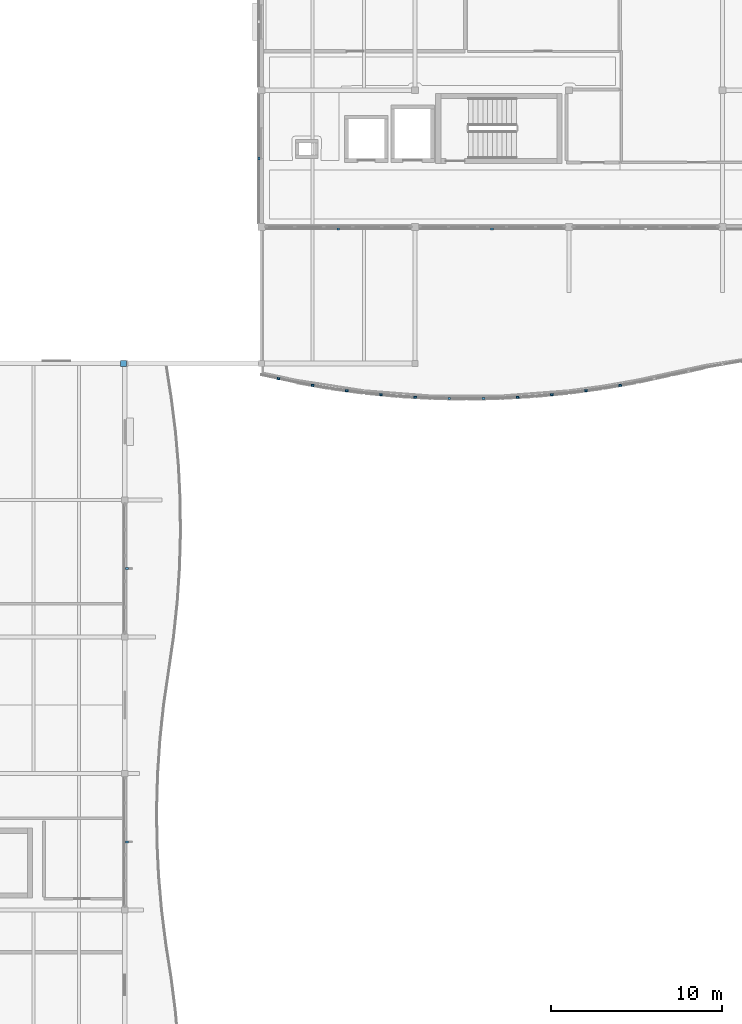
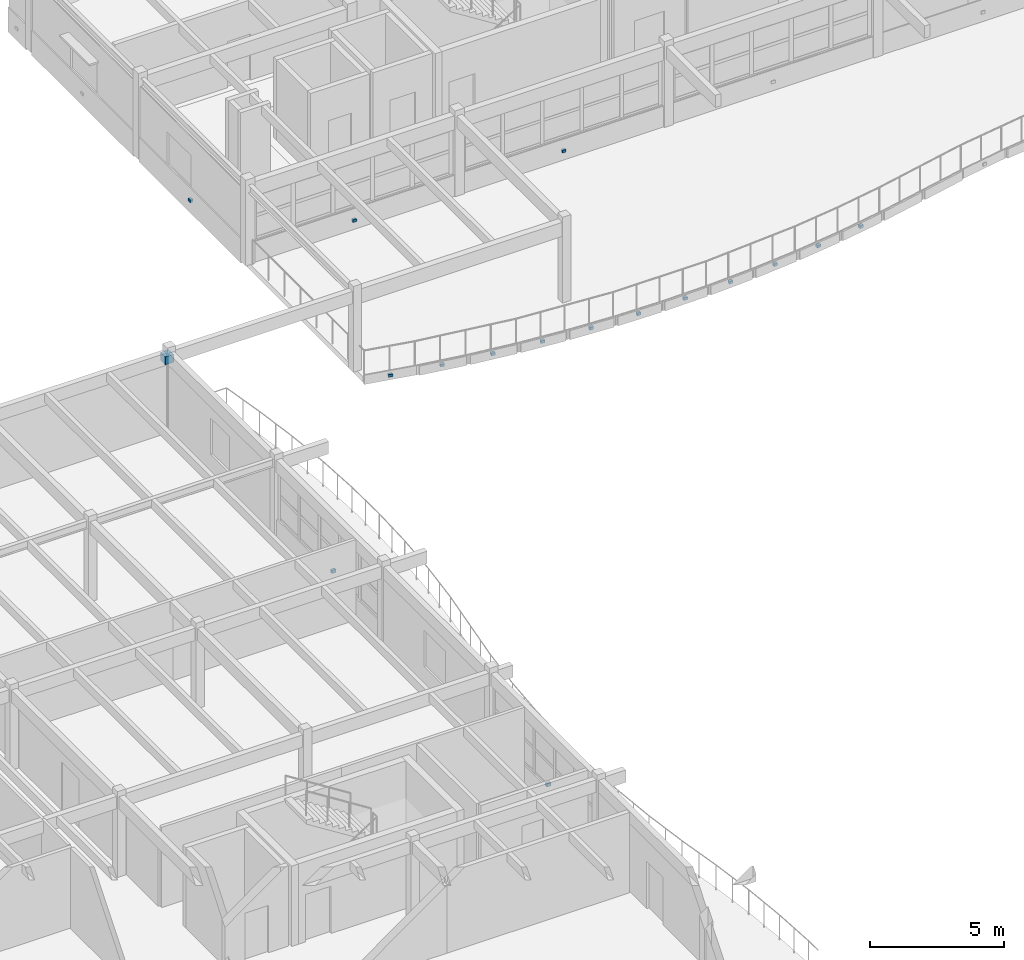
# One storey, part 47 of 63: 17 discrete accessories.
"""IFC4 building model written with IfcOpenShell, lengths in metres."""

import ifcopenshell
import ifcopenshell.guid

model = None  # the IFC model being written
_history = None  # IfcOwnerHistory: only IFC2X3 demands one
_inside = {}  # id of a spatial element -> (the spatial element, [elements in it])
_under = {}  # id of a project, library or spatial element -> (it, [spatial elements below it])
_declared = {}  # id of a project -> (the project, [libraries it declares])
_typed = {}  # id of a type object -> (the type object, [elements of that type])
_made_of = {}  # id of a material, layer set ... -> (it, [elements and type objects made of it])


def new_model(schema):
    """Start an empty IFC model of exactly this schema.

    Asked for "IFC4X3", IfcOpenShell would pick the latest addendum, in which some entities
    have other attributes; the version numbers below select the first issue.
    IFC2X3 requires an IfcOwnerHistory on every rooted entity: one is made here for all.
    """
    global model, _history
    if schema == "IFC4X3":
        model = ifcopenshell.file(schema_version=(4, 3, 0, 0))
    else:
        model = ifcopenshell.file(schema=schema)
    _inside.clear()
    _under.clear()
    _declared.clear()
    _typed.clear()
    _made_of.clear()
    _history = None
    if model.schema == "IFC2X3":
        org = make("IfcOrganization", Name="unknown")
        user = make(
            "IfcPersonAndOrganization",
            ThePerson=make("IfcPerson", FamilyName="unknown"),
            TheOrganization=org,
        )
        app = make(
            "IfcApplication",
            ApplicationDeveloper=org,
            Version="unknown",
            ApplicationFullName="unknown",
            ApplicationIdentifier="unknown",
        )
        _history = make(
            "IfcOwnerHistory",
            OwningUser=user,
            OwningApplication=app,
            ChangeAction="ADDED",
            CreationDate=0,
        )
    return model


def make(cls, **values):
    """One entity of the class cls with the attributes given. An attribute that is None is left unset."""
    return model.create_entity(
        cls, **{name: value for name, value in values.items() if value is not None}
    )


def rooted(cls, **values):
    """An entity with a GlobalId (a new one), such as an element, a storey or a relation."""
    return make(cls, GlobalId=ifcopenshell.guid.new(), OwnerHistory=_history, **values)


def si_unit(unit_type, name, prefix=None):
    """IfcSIUnit, for example si_unit("LENGTHUNIT", "METRE", prefix="MILLI")."""
    return make("IfcSIUnit", UnitType=unit_type, Prefix=prefix, Name=name)


def assignment(units):
    """IfcUnitAssignment: the units of a project."""
    return None if units is None else make("IfcUnitAssignment", Units=units)


def point(xyz):
    """IfcCartesianPoint."""
    return None if xyz is None else make("IfcCartesianPoint", Coordinates=xyz)


def direction(xyz):
    """IfcDirection."""
    return None if xyz is None else make("IfcDirection", DirectionRatios=xyz)


def frame(location, z_axis=None, x_axis=None):
    """IfcAxis2Placement3D, a coordinate frame: its origin and axes. An axis left out is left unset."""
    return make(
        "IfcAxis2Placement3D",
        Location=point(location),
        Axis=direction(z_axis),
        RefDirection=direction(x_axis),
    )


def frame_2d(location, x_axis=None):
    """IfcAxis2Placement2D, a coordinate frame in the plane: its origin and x axis."""
    return make(
        "IfcAxis2Placement2D", Location=point(location), RefDirection=direction(x_axis)
    )


def origin():
    """The frame at (0, 0, 0) with its axes left unset."""
    return frame((0.0, 0.0, 0.0))


def origin_2d():
    """The frame at (0, 0) in the plane with its x axis left unset."""
    return frame_2d((0.0, 0.0))


def place(relative_to, where):
    """IfcLocalPlacement: puts the frame where relative to a parent placement (None: the world)."""
    return make(
        "IfcLocalPlacement", PlacementRelTo=relative_to, RelativePlacement=where
    )


def context(
    kind, dimensions, precision=None, world=None, true_north=None, identifier=None
):
    """IfcGeometricRepresentationContext, for example the 3D "Model" context."""
    return make(
        "IfcGeometricRepresentationContext",
        ContextIdentifier=identifier,
        ContextType=kind,
        CoordinateSpaceDimension=dimensions,
        Precision=precision,
        WorldCoordinateSystem=world,
        TrueNorth=true_north,
    )


def subcontext(parent, identifier, kind, view, scale=None):
    """IfcGeometricRepresentationSubContext, for example "Body" below "Model"."""
    return make(
        "IfcGeometricRepresentationSubContext",
        ContextIdentifier=identifier,
        ContextType=kind,
        ParentContext=parent,
        TargetScale=scale,
        TargetView=view,
    )


def project(units=None, contexts=None):
    """IfcProject with its units and contexts."""
    return rooted(
        "IfcProject",
        Name="project",
        RepresentationContexts=contexts,
        UnitsInContext=assignment(units),
    )


def spatial(cls, under=None, at=None, **own):
    """A site, building, storey or space (cls), placed at a placement, below another one or the project."""
    s = rooted(cls, ObjectPlacement=at, **own)
    if under is not None:
        _under.setdefault(under.id(), (under, []))[1].append(s)
    return s


def profile(cls, at=None, kind="AREA", **sizes):
    """A parametric profile (cls). Its sizes go by their IFC names, for example OverallWidth=200.0."""
    return make(cls, ProfileType=kind, Position=at, **sizes)


def rectangle(**sizes):
    """IfcRectangleProfileDef."""
    return profile("IfcRectangleProfileDef", **sizes)


def extrude(swept, where, along, depth):
    """IfcExtrudedAreaSolid: the profile swept, set in the frame where, extruded along a direction by depth."""
    return make(
        "IfcExtrudedAreaSolid",
        SweptArea=swept,
        Position=where,
        ExtrudedDirection=direction(along),
        Depth=depth,
    )


def shape(context_of_items, identifier, shape_type, items):
    """IfcShapeRepresentation: the items that make up one representation, for example the "Body"."""
    return make(
        "IfcShapeRepresentation",
        ContextOfItems=context_of_items,
        RepresentationIdentifier=identifier,
        RepresentationType=shape_type,
        Items=items,
    )


def material(Name=None, Category=None):
    """IfcMaterial."""
    return make("IfcMaterial", Name=Name, Category=Category)


def made_of(thing, what):
    """Note that an element or type object is made of a material, layer set ...; save() writes the relation."""
    if what is not None:
        _made_of.setdefault(what.id(), (what, []))[1].append(thing)
    return thing


def type_object(cls, material=None, **own):
    """A type object (cls), such as IfcWallType, which elements share."""
    return made_of(rooted(cls, **own), material)


def element(
    cls,
    number,
    at=None,
    inside=None,
    cuts=None,
    type_object=None,
    material=None,
    context=None,
    identifier="Body",
    shape_type=None,
    held_by="IfcProductDefinitionShape",
    body=None,
    shapes=None,
    **own,
):
    """One element of the class cls, such as IfcWall. Its Tag is "e" and its number.

    at: its placement. inside: the storey or other place that contains it. cuts: it is an
    opening in that element (IfcRelVoidsElement). A single representation is given by context,
    identifier, shape_type and body (its items); several are given by shapes. held_by: the class
    of the entity that holds the representations. save() writes the other relations.
    """
    e = rooted(cls, Tag="e%d" % number, ObjectPlacement=at, **own)
    if body is not None:
        shapes = [shape(context, identifier, shape_type, body)]
    if shapes is not None:
        e.Representation = make(held_by, Representations=shapes)
    if inside is not None:
        _inside.setdefault(inside.id(), (inside, []))[1].append(e)
    if cuts is not None:
        rooted(
            "IfcRelVoidsElement", RelatingBuildingElement=cuts, RelatedOpeningElement=e
        )
    if type_object is not None:
        _typed.setdefault(type_object.id(), (type_object, []))[1].append(e)
    return made_of(e, material)


def aggregate(whole, parts):
    """IfcRelAggregates: a whole, such as a stair, and the parts it consists of."""
    return rooted("IfcRelAggregates", RelatingObject=whole, RelatedObjects=parts)


def save(model, path):
    """Write the relations noted so far, then the file.

    IfcRelAggregates (storeys below a building ...), IfcRelContainedInSpatialStructure (elements
    in a storey), IfcRelDefinesByType, IfcRelAssociatesMaterial and IfcRelDeclares: one each for
    every whole, place, type object, material and project.
    """
    for whole, parts in _under.values():
        aggregate(whole, parts)
    for where, things in _inside.values():
        rooted(
            "IfcRelContainedInSpatialStructure",
            RelatedElements=things,
            RelatingStructure=where,
        )
    for kind, things in _typed.values():
        rooted("IfcRelDefinesByType", RelatedObjects=things, RelatingType=kind)
    for what, things in _made_of.values():
        rooted("IfcRelAssociatesMaterial", RelatedObjects=things, RelatingMaterial=what)
    for by, libraries in _declared.values():
        rooted("IfcRelDeclares", RelatingContext=by, RelatedDefinitions=libraries)
    model.write(path)


model = new_model("IFC4")

# Units and contexts
model_context = context("Model", 3, precision=1e-05, world=origin(), true_north=direction((0.0, 1.0)))
body_context = subcontext(model_context, "Body", "Model", "MODEL_VIEW")
ifc_project = project(units=[si_unit("LENGTHUNIT", "METRE"), si_unit("AREAUNIT", "SQUARE_METRE"), si_unit("VOLUMEUNIT", "CUBIC_METRE"), si_unit("PLANEANGLEUNIT", "RADIAN"), si_unit("MASSUNIT", "GRAM", prefix="KILO")], contexts=[model_context])

# Site, building, storey
site_placement = place(None, origin())
site = spatial("IfcSite", under=ifc_project, at=site_placement, CompositionType="ELEMENT")
building_placement = place(site_placement, origin())
building = spatial("IfcBuilding", under=site, at=building_placement, Name="Tonlespit Floodbar School", CompositionType="ELEMENT")
storey_placement = place(building_placement, frame((0.0, 0.0, 8.39990234375)))
storey = spatial("IfcBuildingStorey", under=building, at=storey_placement, Name="L02", CompositionType="ELEMENT", Elevation=8.39990234375)

# Discrete accessories
ifc_material_1 = material(Name="Galvanised Steel", Category="steel")
discrete_accessory_type_1 = type_object("IfcDiscreteAccessoryType", Name="Bracket_Facade_S355", PredefinedType="BRACKET", material=ifc_material_1)
for number, where, z_axis, x_axis, name in (
    (1, (57.5, 103.8701171875, 0.35498046875), (0.0, 0.0, 1.0), (-1.0, 0.0, 0.0), "L02 white band support bracket 0173"),
    (2, (48.5, 103.8701171875, 0.35498046875), (0.0, 0.0, 1.0), (-1.0, 0.0, 0.0), "L02 white band support bracket 0174"),
    (3, (43.85009765625, 108.0, 0.380126953125), (0.0, 0.0, 1.0), (0.0, 1.0, 0.0), "L02 white band support bracket 0175"),
    (4, (45.0, 95.113525390625, -0.14990234375), (0.0, 0.0, 1.0), (0.977356843161, -0.21159773422, 0.0), "L02 white band support bracket 0178"),
    (5, (47.0, 94.72119140625, -0.14990234375), (0.0, 0.0, 1.0), (0.984904884962, -0.17309641122, 0.0), "L02 white band support bracket 0179"),
    (6, (49.0, 94.40966796875, -0.14990234375), (0.0, 0.0, 1.0), (0.990898113281, -0.13461400037, 0.0), "L02 white band support bracket 0180"),
    (7, (51.0, 94.17724609375, -0.14990234375), (0.0, 0.0, 1.0), (0.995361841764, -0.096201891669, 0.0), "L02 white band support bracket 0181"),
    (8, (53.0, 94.022705078125, -0.14990234375), (0.0, 0.0, 1.0), (0.998333769428, -0.057703421212, 0.0), "L02 white band support bracket 0182"),
    (9, (55.0, 93.94580078125, -0.14990234375), (0.0, 0.0, 1.0), (0.999814772764, -0.01924630259, 0.0), "L02 white band support bracket 0183"),
    (10, (57.0, 93.94580078125, -0.14990234375), (0.0, 0.0, 1.0), (0.999814772764, 0.01924630259, 0.0), "L02 white band support bracket 0184"),
    (11, (59.0, 94.022705078125, -0.14990234375), (0.0, 0.0, 1.0), (0.998333769428, 0.057703421212, 0.0), "L02 white band support bracket 0185"),
    (12, (61.0, 94.17724609375, -0.14990234375), (0.0, 0.0, 1.0), (0.995361841764, 0.096201891669, 0.0), "L02 white band support bracket 0186"),
    (13, (63.0, 94.40966796875, -0.14990234375), (0.0, 0.0, 1.0), (0.990898113281, 0.13461400037, 0.0), "L02 white band support bracket 0187"),
    (14, (65.0, 94.72119140625, -0.14990234375), (0.0, 0.0, 1.0), (0.984904884962, 0.17309641122, 0.0), "L02 white band support bracket 0188"),
):
    element("IfcDiscreteAccessory", number, at=place(storey_placement, frame(where, z_axis=z_axis, x_axis=x_axis)), inside=storey, type_object=discrete_accessory_type_1, Name=name, PredefinedType="BRACKET", context=body_context, shape_type="SweptSolid", body=[
        extrude(rectangle(XDim=0.159912109375, YDim=0.1201171875, at=origin_2d()), origin(), (0.0, 0.0, 1.0), 0.1201171875),
    ])
for number, where, z_axis, x_axis, name in (
    (15, (36.132568359375, 84.0, 0.7802734375), (0.0, 0.0, 1.0), (0.0, -1.0, 0.0), "Solar fin support bracket 167"),
    (16, (36.132568359375, 68.0, 0.7802734375), (0.0, 0.0, 1.0), (0.0, -1.0, 0.0), "Solar fin support bracket 168"),
):
    element("IfcDiscreteAccessory", number, at=place(storey_placement, frame(where, z_axis=z_axis, x_axis=x_axis)), inside=storey, type_object=discrete_accessory_type_1, Name=name, PredefinedType="BRACKET", context=body_context, shape_type="SweptSolid", body=[
        extrude(rectangle(XDim=0.1201171875, YDim=0.179931640625, at=origin_2d()), origin(), (0.0, 0.0, 1.0), 0.139892578125),
    ])
ifc_material_2 = material(Name="Steel S355", Category="steel")
discrete_accessory_type_2 = type_object("IfcDiscreteAccessoryType", Name="GussetShoe_Brace_S355", PredefinedType="SHOE", material=ifc_material_2)
discrete_accessory_placement = place(storey_placement, frame((35.919921875, 96.0, 3.169921875), z_axis=(0.0, 0.0, 1.0), x_axis=(1.0, 0.0, 0.0)))
element("IfcDiscreteAccessory", 17, at=discrete_accessory_placement, inside=storey, type_object=discrete_accessory_type_2, Name="L02 brace and chord end gusset shoe 0032", PredefinedType="SHOE", context=body_context, shape_type="SweptSolid", body=[
    extrude(rectangle(XDim=0.360107421875, YDim=0.360107421875, at=origin_2d()), origin(), (0.0, 0.0, 1.0), 0.360107421875),
])

save(model, "model.ifc")
